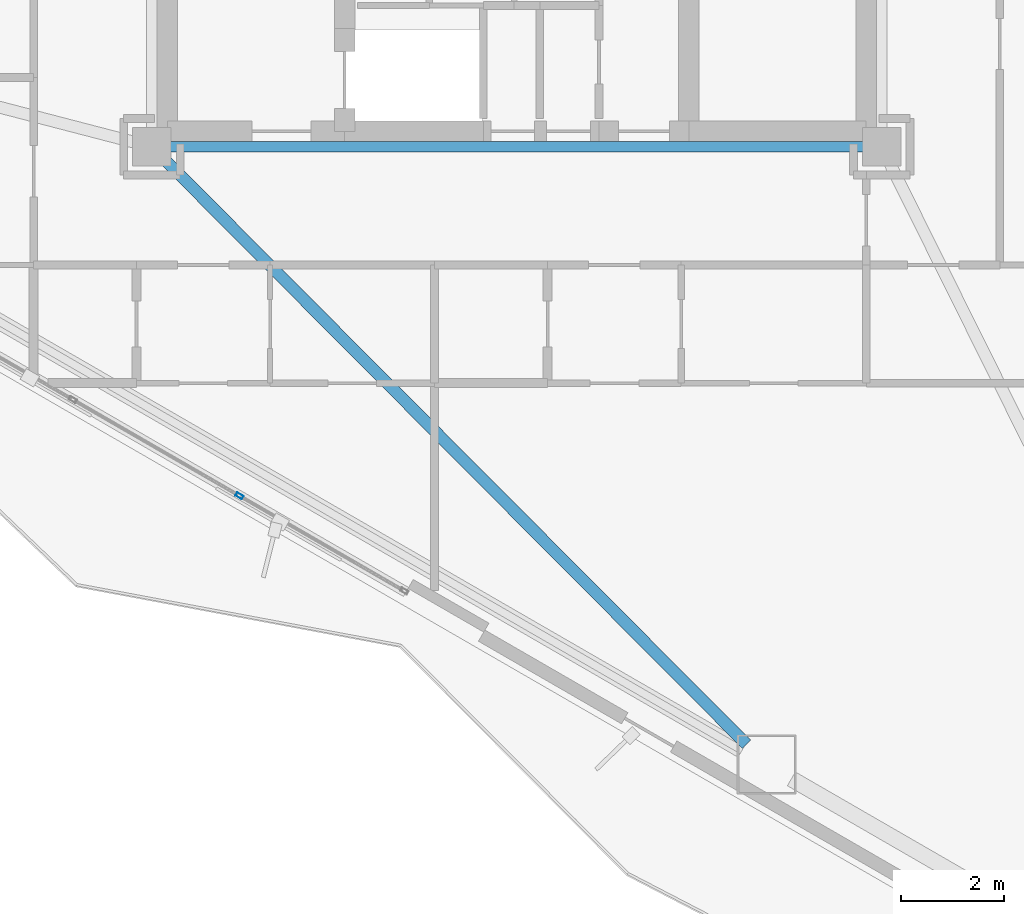
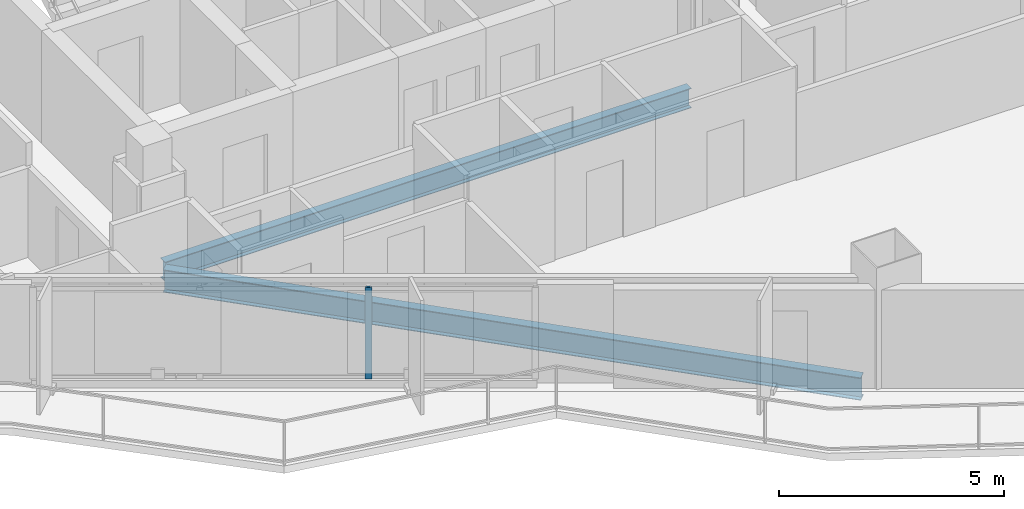
# One storey, part 4 of 22: 2 beams, 1 member, 1 element without a shape of its own.
"""IFC4 building model written with IfcOpenShell, lengths in metres."""

from ifc_helpers import new_model, si_unit, direction, frame, origin, origin_2d, place, context, subcontext, project, spatial, hollow_rectangle, i_section, extrude, material, layer, layer_set, material_profile, profile_set, type_object, element, aggregate, save


model = new_model("IFC4")

# Units and contexts
model_context = context("Model", 3, precision=1e-05, world=origin(), true_north=direction((0.0, 1.0)))
body_context = subcontext(model_context, "Body", "Model", "MODEL_VIEW")
ifc_project = project(units=[si_unit("LENGTHUNIT", "METRE"), si_unit("AREAUNIT", "SQUARE_METRE"), si_unit("VOLUMEUNIT", "CUBIC_METRE"), si_unit("PLANEANGLEUNIT", "RADIAN"), si_unit("MASSUNIT", "GRAM", prefix="KILO")], contexts=[model_context])

# Site, building, storey
site_placement = place(None, origin())
site = spatial("IfcSite", under=ifc_project, at=site_placement, CompositionType="ELEMENT")
building_placement = place(site_placement, origin())
building = spatial("IfcBuilding", under=site, at=building_placement, Name="Mersakhor Tower and Convention Hall", CompositionType="ELEMENT")
storey_placement = place(building_placement, frame((0.0, 0.0, 99.89990234375)))
storey = spatial("IfcBuildingStorey", under=building, at=storey_placement, Name="L27", CompositionType="ELEMENT", Elevation=99.89990234375)

# Beams
ifc_material_1 = material(Name="Steel S355", Category="steel")
ifc_material_profile_1 = material_profile(ifc_material_1, i_section(OverallWidth=0.2099609375, OverallDepth=0.53662109375, WebThickness=0.0107421875, FlangeThickness=0.017333984375, at=origin_2d()), Name="UB 533x210x101")
ifc_profile_set_1 = profile_set([ifc_material_profile_1], Name="Steel S355")
beam_type_1 = type_object("IfcBeamType", Name="BM-FB-533", PredefinedType="BEAM", material=ifc_profile_set_1)
beam_1_placement = place(storey_placement, frame((35.7451171875, 20.449951171875, -0.518310546875), z_axis=(-1.0, 0.0, 0.0), x_axis=(0.0, -1.0, 0.0)))
element("IfcBeam", 1, at=beam_1_placement, inside=storey, type_object=beam_type_1, Name="L27 Core Ring Tie Beam CRB-4", PredefinedType="BEAM", context=body_context, shape_type="SweptSolid", body=[
    extrude(i_section(OverallWidth=0.2099609375, OverallDepth=0.53662109375, WebThickness=0.0107421875, FlangeThickness=0.017333984375, at=origin_2d()), origin(), (0.0, 0.0, 1.0), 13.490234375),
])
ifc_material_2 = material(Name="Steel S355", Category="steel")
ifc_material_profile_2 = material_profile(ifc_material_2, i_section(OverallWidth=0.22900390625, OverallDepth=0.6123046875, WebThickness=0.011962890625, FlangeThickness=0.01953125, at=origin_2d()), Name="UB 610x229x125")
ifc_profile_set_2 = profile_set([ifc_material_profile_2], Name="Steel S355")
beam_type_2 = type_object("IfcBeamType", Name="BM-PR-610", PredefinedType="BEAM", material=ifc_profile_set_2)
beam_2_placement = place(storey_placement, frame((22.150390625, 20.198486328125, -0.555908203125), z_axis=(0.705400971754, -0.708808485452, 0.0), x_axis=(0.708808485452, 0.705400971754, 0.0)))
element("IfcBeam", 2, at=beam_2_placement, inside=storey, type_object=beam_type_2, Name="L27 Primary Floor Girder FG-5", PredefinedType="BEAM", context=body_context, shape_type="SweptSolid", body=[
    extrude(i_section(OverallWidth=0.22900390625, OverallDepth=0.6123046875, WebThickness=0.011962890625, FlangeThickness=0.01953125, at=origin_2d()), origin(), (0.0, 0.0, 1.0), 16.049072265625),
])

# Curtain wall, member
ifc_material_3 = material(Name="Dark solar low-E aluminium curtain wall", Category="aluminium")
ifc_layer = layer(ifc_material_3, 0.159912109375)
ifc_layer_set = layer_set([ifc_layer], Name="Dark solar low-E aluminium curtain wall")
curtain_wall_type = type_object("IfcCurtainWallType", Name="CW-SYS-01", PredefinedType="USERDEFINED", material=ifc_layer_set)
curtain_wall_placement = place(storey_placement, origin())
curtain_wall = element("IfcCurtainWall", 3, at=curtain_wall_placement, inside=storey, type_object=curtain_wall_type, Name="L27 Dark-Glass Curtain Wall F3-B2", ObjectType="CURTAIN WALL", PredefinedType="USERDEFINED")
ifc_material_4 = material(Name="Anodised aluminium EN AW-6063 T6", Category="aluminium")
ifc_material_profile_3 = material_profile(ifc_material_4, hollow_rectangle(XDim=0.074951171875, YDim=0.14990234375, WallThickness=0.00634765625, at=origin_2d()), Name="RHS 150x75x6.3")
ifc_profile_set_3 = profile_set([ifc_material_profile_3], Name="Anodised aluminium EN AW-6063 T6")
member_type = type_object("IfcMemberType", Name="CWM-150x75", PredefinedType="MULLION", material=ifc_profile_set_3)
member_placement = place(storey_placement, frame((23.603515625, 13.659912109375, 0.2001953125), z_axis=(0.0, 0.0, 1.0), x_axis=(-0.499997904985, -0.866026613339, 0.0)))
member = element("IfcMember", 4, at=member_placement, type_object=member_type, Name="CW-01 mullion 2", PredefinedType="MULLION", context=body_context, shape_type="SweptSolid", body=[
    extrude(hollow_rectangle(XDim=0.074951171875, YDim=0.14990234375, WallThickness=0.00634765625, at=origin_2d()), origin(), (0.0, 0.0, 1.0), 2.469970703125),
])
aggregate(curtain_wall, [member])

save(model, "model.ifc")
